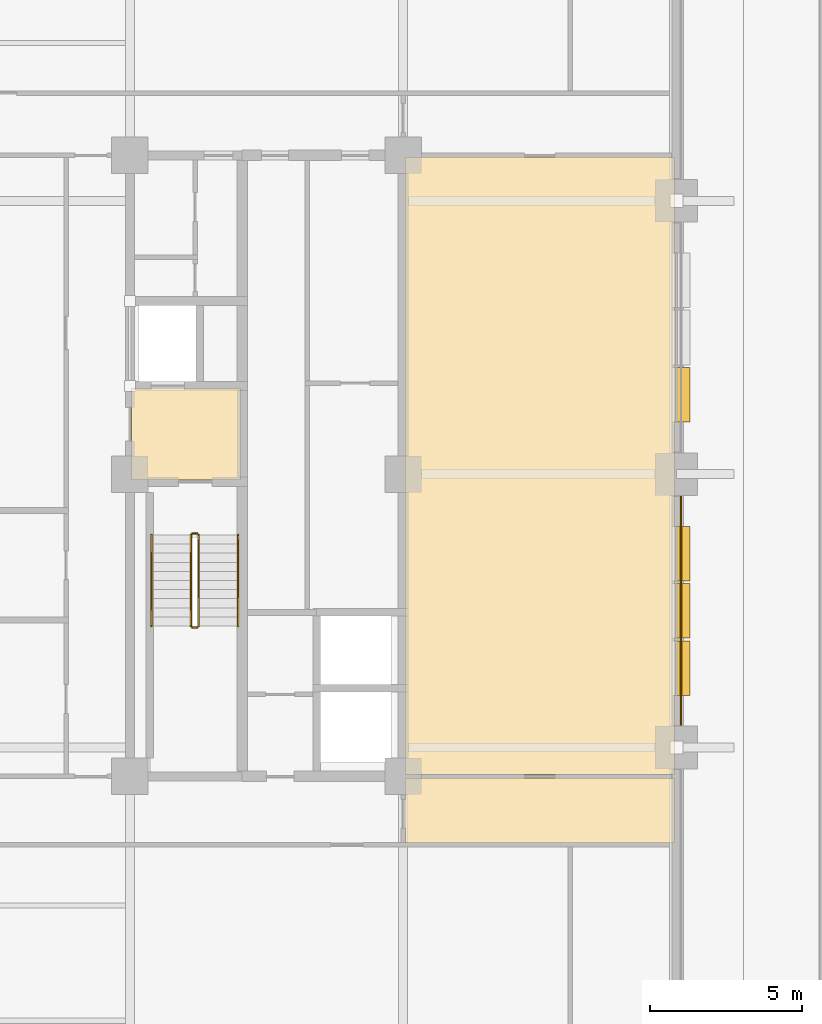
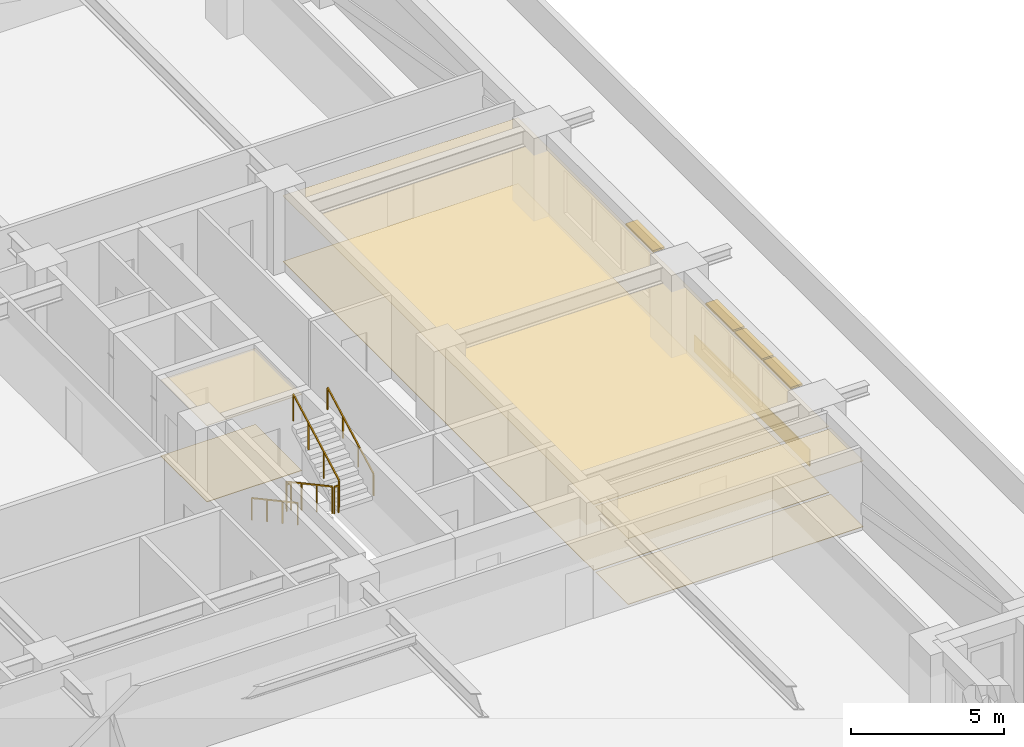
# One storey, part 11 of 12: 7 coverings, 6 railings, 4 shading devices.
"""IFC4 building model written with IfcOpenShell, lengths in metres."""

from ifc_helpers import new_model, si_unit, direction, frame, frame_2d, origin, origin_2d, place, context, subcontext, project, spatial, polyline, rectangle, outline, extrude, material, layer, layer_set, type_object, element, save


model = new_model("IFC4")

# Units and contexts
model_context = context("Model", 3, precision=1e-05, world=origin(), true_north=direction((0.0, 1.0)))
body_context = subcontext(model_context, "Body", "Model", "MODEL_VIEW")
ifc_project = project(units=[si_unit("LENGTHUNIT", "METRE"), si_unit("AREAUNIT", "SQUARE_METRE"), si_unit("VOLUMEUNIT", "CUBIC_METRE"), si_unit("PLANEANGLEUNIT", "RADIAN"), si_unit("MASSUNIT", "GRAM", prefix="KILO")], contexts=[model_context])

# Site, building, storey
site_placement = place(None, origin())
site = spatial("IfcSite", under=ifc_project, at=site_placement, CompositionType="ELEMENT")
building_placement = place(site_placement, origin())
building = spatial("IfcBuilding", under=site, at=building_placement, Name="Zulmaris Gate Convention Tower", CompositionType="ELEMENT")
storey_placement = place(building_placement, frame((0.0, 0.0, 27.199951171875)))
storey = spatial("IfcBuildingStorey", under=building, at=storey_placement, Name="L05", CompositionType="ELEMENT", Elevation=27.199951171875)

# Coverings
ifc_material_1 = material(Name="Precast concrete C40/50", Category="concrete")
ifc_layer_1 = layer(ifc_material_1, 0.0400390625, Name="Precast concrete C40/50")
ifc_layer_set_1 = layer_set([ifc_layer_1], Name="Precast concrete C40/50")
covering_type_1 = type_object("IfcCoveringType", Name="CLAD-SPANDREL-PRECAST", PredefinedType="CLADDING", material=ifc_layer_set_1)
covering_1_placement = place(storey_placement, frame((29.14990234375, -8.27001953125, 0.0), z_axis=(0.0, 0.0, 1.0), x_axis=(0.0, 1.0, 0.0)))
element("IfcCovering", 1, at=covering_1_placement, inside=storey, type_object=covering_type_1, Name="CLD-L05-E-1_0", PredefinedType="CLADDING", context=body_context, shape_type="SweptSolid", body=[
    extrude(rectangle(XDim=7.5400390625, YDim=0.0400390625, at=frame_2d((3.77001953125, 0.0))), origin(), (0.0, 0.0, 1.0), 0.679931640625),
])
ifc_material_2 = material(Name="Mineral Fibre Acoustic Ceiling Tile")
ifc_layer_2 = layer(ifc_material_2, 0.02001953125, Name="Mineral Fibre Acoustic Ceiling Tile")
ifc_layer_set_2 = layer_set([ifc_layer_2], Name="Mineral Fibre Acoustic Ceiling Tile")
covering_type_2 = type_object("IfcCoveringType", Name="CLG-ACOUSTIC-600", PredefinedType="CEILING", material=ifc_layer_set_2)
covering_2_placement = place(storey_placement, frame((0.0, 0.0, 3.0400390625)))
element("IfcCovering", 2, at=covering_2_placement, inside=storey, type_object=covering_type_2, Name="CLG-L05-R08", PredefinedType="CEILING", context=body_context, shape_type="SweptSolid", body=[
    extrude(outline(polyline([(11.06005859375, -0.18994140625), (14.639892578125, -0.18994140625), (14.639892578125, 2.840087890625), (11.06005859375, 2.840087890625), (11.06005859375, -0.18994140625)])), origin(), (0.0, 0.0, 1.0), 0.02001953125),
])
covering_3_placement = place(storey_placement, frame((0.0, 0.0, 2.6279296875)))
element("IfcCovering", 3, at=covering_3_placement, inside=storey, type_object=covering_type_2, Name="CLG-L05-R52", PredefinedType="CEILING", context=body_context, shape_type="SweptSolid", body=[
    extrude(outline(polyline([(20.06005859375, -12.139892578125), (28.93994140625, -12.139892578125), (28.93994140625, -10.010009765625), (20.06005859375, -10.010009765625), (20.06005859375, -12.139892578125)])), origin(), (0.0, 0.0, 1.0), 0.02001953125),
])
covering_4_placement = place(storey_placement, frame((0.0, 0.0, 2.6279296875)))
element("IfcCovering", 4, at=covering_4_placement, inside=storey, type_object=covering_type_2, Name="CLG-L05-R53", PredefinedType="CEILING", context=body_context, shape_type="SweptSolid", body=[
    extrude(outline(polyline([(20.06005859375, -9.889892578125), (28.93994140625, -9.889892578125), (28.93994140625, 10.43994140625), (20.06005859375, 10.43994140625), (20.06005859375, -9.889892578125)])), origin(), (0.0, 0.0, 1.0), 0.02001953125),
])
ifc_material_3 = material(Name="Woven Acoustic Wool Carpet Tile")
ifc_layer_3 = layer(ifc_material_3, 0.02001953125, Name="Woven Acoustic Wool Carpet Tile")
ifc_layer_set_3 = layer_set([ifc_layer_3], Name="Woven Acoustic Wool Carpet Tile")
covering_type_3 = type_object("IfcCoveringType", Name="FLR-CARPET-12", PredefinedType="FLOORING", material=ifc_layer_set_3)
covering_5_placement = place(storey_placement, origin())
element("IfcCovering", 5, at=covering_5_placement, inside=storey, type_object=covering_type_3, Name="FLR-L05-R08", PredefinedType="FLOORING", context=body_context, shape_type="SweptSolid", body=[
    extrude(outline(polyline([(11.06005859375, -0.18994140625), (14.639892578125, -0.18994140625), (14.639892578125, 2.840087890625), (11.06005859375, 2.840087890625), (11.06005859375, -0.18994140625)])), origin(), (0.0, 0.0, 1.0), 0.02001953125),
])
covering_6_placement = place(storey_placement, origin())
element("IfcCovering", 6, at=covering_6_placement, inside=storey, type_object=covering_type_3, Name="FLR-L05-R52", PredefinedType="FLOORING", context=body_context, shape_type="SweptSolid", body=[
    extrude(outline(polyline([(20.06005859375, -12.139892578125), (28.93994140625, -12.139892578125), (28.93994140625, -10.010009765625), (20.06005859375, -10.010009765625), (20.06005859375, -12.139892578125)])), origin(), (0.0, 0.0, 1.0), 0.02001953125),
])
covering_7_placement = place(storey_placement, origin())
element("IfcCovering", 7, at=covering_7_placement, inside=storey, type_object=covering_type_3, Name="FLR-L05-R53", PredefinedType="FLOORING", context=body_context, shape_type="SweptSolid", body=[
    extrude(outline(polyline([(20.06005859375, -9.889892578125), (28.93994140625, -9.889892578125), (28.93994140625, 10.43994140625), (20.06005859375, 10.43994140625), (20.06005859375, -9.889892578125)])), origin(), (0.0, 0.0, 1.0), 0.02001953125),
])

# Railings
ifc_material_4 = material(Name="Painted Galvanised Steel", Category="steel")
railing_type_1 = type_object("IfcRailingType", Name="RL-STG-1150", PredefinedType="GUARDRAIL", material=ifc_material_4)
railing_1_placement = place(storey_placement, frame((13.010009765625, -2.0, 0.162353515625)))
element("IfcRailing", 8, at=railing_1_placement, inside=storey, type_object=railing_type_1, Name="L05 ST-2 stair guard 1", PredefinedType="GUARDRAIL", context=body_context, shape_type="SweptSolid", body=[
    extrude(rectangle(XDim=0.048095703125, YDim=0.048095703125, at=origin_2d()), frame((0.0, 0.0, 1.076171875), z_axis=(0.0, -0.8795616155, 0.475784998228), x_axis=(1.0, 0.0, 0.0)), (0.0, 0.0, 1.0), 3.410888671875),
    extrude(rectangle(XDim=0.0419921875, YDim=0.0419921875, at=origin_2d()), origin(), (0.0, 0.0, 1.0), 1.052001953125),
    extrude(rectangle(XDim=0.0419921875, YDim=0.0419921875, at=origin_2d()), frame((0.0, -1.0, 0.541015625)), (0.0, 0.0, 1.0), 1.052001953125),
    extrude(rectangle(XDim=0.0419921875, YDim=0.0419921875, at=origin_2d()), frame((0.0, -2.0, 1.081787109375)), (0.0, 0.0, 1.0), 1.052001953125),
    extrude(rectangle(XDim=0.0419921875, YDim=0.0419921875, at=origin_2d()), frame((0.0, -3.0, 1.622802734375)), (0.0, 0.0, 1.0), 1.052001953125),
])
railing_2_placement = place(storey_placement, frame((13.06005859375, -5.050048828125, 1.78515625)))
element("IfcRailing", 9, at=railing_2_placement, inside=storey, type_object=railing_type_1, Name="L05 ST-2 stair guard 2", PredefinedType="GUARDRAIL", context=body_context, shape_type="SweptSolid", body=[
    extrude(rectangle(XDim=0.048095703125, YDim=0.048095703125, at=origin_2d()), frame((0.0, 0.0, 1.076171875), z_axis=(1.0, 0.0, 0.0), x_axis=(0.0, 1.0, 0.0)), (0.0, 0.0, 1.0), 0.159912109375),
    extrude(rectangle(XDim=0.0419921875, YDim=0.0419921875, at=origin_2d()), origin(), (0.0, 0.0, 1.0), 1.052001953125),
    extrude(rectangle(XDim=0.0419921875, YDim=0.0419921875, at=origin_2d()), frame((0.159912109375, 0.0, 0.0)), (0.0, 0.0, 1.0), 1.052001953125),
])
railing_3_placement = place(storey_placement, frame((13.27001953125, -5.0, 1.947265625)))
element("IfcRailing", 10, at=railing_3_placement, inside=storey, type_object=railing_type_1, Name="L05 ST-2 stair guard 3", PredefinedType="GUARDRAIL", context=body_context, shape_type="SweptSolid", body=[
    extrude(rectangle(XDim=0.048095703125, YDim=0.048095703125, at=origin_2d()), frame((0.0, 0.0, 1.076171875), z_axis=(0.0, 0.8795616155, 0.475784998228), x_axis=(-1.0, 0.0, 0.0)), (0.0, 0.0, 1.0), 3.410888671875),
    extrude(rectangle(XDim=0.0419921875, YDim=0.0419921875, at=origin_2d()), origin(), (0.0, 0.0, 1.0), 1.052001953125),
    extrude(rectangle(XDim=0.0419921875, YDim=0.0419921875, at=origin_2d()), frame((0.0, 1.0, 0.541015625)), (0.0, 0.0, 1.0), 1.052001953125),
    extrude(rectangle(XDim=0.0419921875, YDim=0.0419921875, at=origin_2d()), frame((0.0, 2.0, 1.081787109375)), (0.0, 0.0, 1.0), 1.052001953125),
    extrude(rectangle(XDim=0.0419921875, YDim=0.0419921875, at=origin_2d()), frame((0.0, 3.0, 1.622802734375)), (0.0, 0.0, 1.0), 1.052001953125),
])
railing_4_placement = place(storey_placement, frame((13.06005859375, -1.949951171875, 0.0)))
element("IfcRailing", 11, at=railing_4_placement, inside=storey, type_object=railing_type_1, Name="L05 ST-2 stair guard 4", PredefinedType="GUARDRAIL", context=body_context, shape_type="SweptSolid", body=[
    extrude(rectangle(XDim=0.048095703125, YDim=0.048095703125, at=origin_2d()), frame((0.0, 0.0, 1.076171875), z_axis=(1.0, 0.0, 0.0), x_axis=(0.0, 1.0, 0.0)), (0.0, 0.0, 1.0), 0.159912109375),
    extrude(rectangle(XDim=0.0419921875, YDim=0.0419921875, at=origin_2d()), origin(), (0.0, 0.0, 1.0), 1.052001953125),
    extrude(rectangle(XDim=0.0419921875, YDim=0.0419921875, at=origin_2d()), frame((0.159912109375, 0.0, 0.0)), (0.0, 0.0, 1.0), 1.052001953125),
])
ifc_material_5 = material(Name="Brushed Stainless Steel", Category="steel")
railing_type_2 = type_object("IfcRailingType", Name="RL-STH-900", PredefinedType="HANDRAIL", material=ifc_material_5)
railing_5_placement = place(storey_placement, frame((11.7099609375, -2.0, 0.162353515625)))
element("IfcRailing", 12, at=railing_5_placement, inside=storey, type_object=railing_type_2, Name="L05 ST-2 stair handrail 1", PredefinedType="HANDRAIL", context=body_context, shape_type="SweptSolid", body=[
    extrude(rectangle(XDim=0.048095703125, YDim=0.048095703125, at=origin_2d()), frame((0.0, 0.0, 0.8759765625), z_axis=(0.0, -0.8795616155, 0.475784998228), x_axis=(1.0, 0.0, 0.0)), (0.0, 0.0, 1.0), 3.410888671875),
    extrude(rectangle(XDim=0.0419921875, YDim=0.0419921875, at=origin_2d()), origin(), (0.0, 0.0, 1.0), 0.851806640625),
    extrude(rectangle(XDim=0.0419921875, YDim=0.0419921875, at=origin_2d()), frame((0.0, -1.0, 0.541015625)), (0.0, 0.0, 1.0), 0.851806640625),
    extrude(rectangle(XDim=0.0419921875, YDim=0.0419921875, at=origin_2d()), frame((0.0, -2.0, 1.081787109375)), (0.0, 0.0, 1.0), 0.851806640625),
    extrude(rectangle(XDim=0.0419921875, YDim=0.0419921875, at=origin_2d()), frame((0.0, -3.0, 1.622802734375)), (0.0, 0.0, 1.0), 0.851806640625),
])
railing_6_placement = place(storey_placement, frame((14.570068359375, -5.0, 1.947265625)))
element("IfcRailing", 13, at=railing_6_placement, inside=storey, type_object=railing_type_2, Name="L05 ST-2 stair handrail 2", PredefinedType="HANDRAIL", context=body_context, shape_type="SweptSolid", body=[
    extrude(rectangle(XDim=0.048095703125, YDim=0.048095703125, at=origin_2d()), frame((0.0, 0.0, 0.8759765625), z_axis=(0.0, 0.8795616155, 0.475784998228), x_axis=(-1.0, 0.0, 0.0)), (0.0, 0.0, 1.0), 3.410888671875),
    extrude(rectangle(XDim=0.0419921875, YDim=0.0419921875, at=origin_2d()), origin(), (0.0, 0.0, 1.0), 0.851806640625),
    extrude(rectangle(XDim=0.0419921875, YDim=0.0419921875, at=origin_2d()), frame((0.0, 1.0, 0.541015625)), (0.0, 0.0, 1.0), 0.851806640625),
    extrude(rectangle(XDim=0.0419921875, YDim=0.0419921875, at=origin_2d()), frame((0.0, 2.0, 1.081787109375)), (0.0, 0.0, 1.0), 0.851806640625),
    extrude(rectangle(XDim=0.0419921875, YDim=0.0419921875, at=origin_2d()), frame((0.0, 3.0, 1.622802734375)), (0.0, 0.0, 1.0), 0.851806640625),
])

# Shading devices
ifc_material_6 = material(Name="Glazed Ceramic Terracotta", Category="masonry")
ifc_layer_4 = layer(ifc_material_6, 0.070068359375, Name="Glazed Ceramic Terracotta")
ifc_layer_set_4 = layer_set([ifc_layer_4], Name="Glazed Ceramic Terracotta")
shading_device_type = type_object("IfcShadingDeviceType", Name="SHD-SUNSHADE-TC", PredefinedType="AWNING", material=ifc_layer_set_4)
for number, where, z_axis, x_axis, name in (
    (14, (29.219970703125, -7.284912109375, 2.530029296875), (0.0, 0.0, 1.0), (0.0, 1.0, 0.0), "SHD-EW-L05-E-1_0-1"),
    (15, (29.219970703125, -5.39990234375, 2.530029296875), (0.0, 0.0, 1.0), (0.0, 1.0, 0.0), "SHD-EW-L05-E-1_0-2"),
    (16, (29.219970703125, -3.514892578125, 2.530029296875), (0.0, 0.0, 1.0), (0.0, 1.0, 0.0), "SHD-EW-L05-E-1_0-3"),
    (17, (29.219970703125, 1.715087890625, 2.530029296875), (0.0, 0.0, 1.0), (0.0, 1.0, 0.0), "SHD-EW-L05-E-2_0-1"),
):
    element("IfcShadingDevice", number, at=place(storey_placement, frame(where, z_axis=z_axis, x_axis=x_axis)), inside=storey, type_object=shading_device_type, Name=name, PredefinedType="AWNING", context=body_context, shape_type="SweptSolid", body=[
        extrude(rectangle(XDim=1.7998046875, YDim=0.43994140625, at=frame_2d((0.89990234375, 0.0))), origin(), (0.0, 0.0, 1.0), 0.070068359375),
    ])

save(model, "model.ifc")
